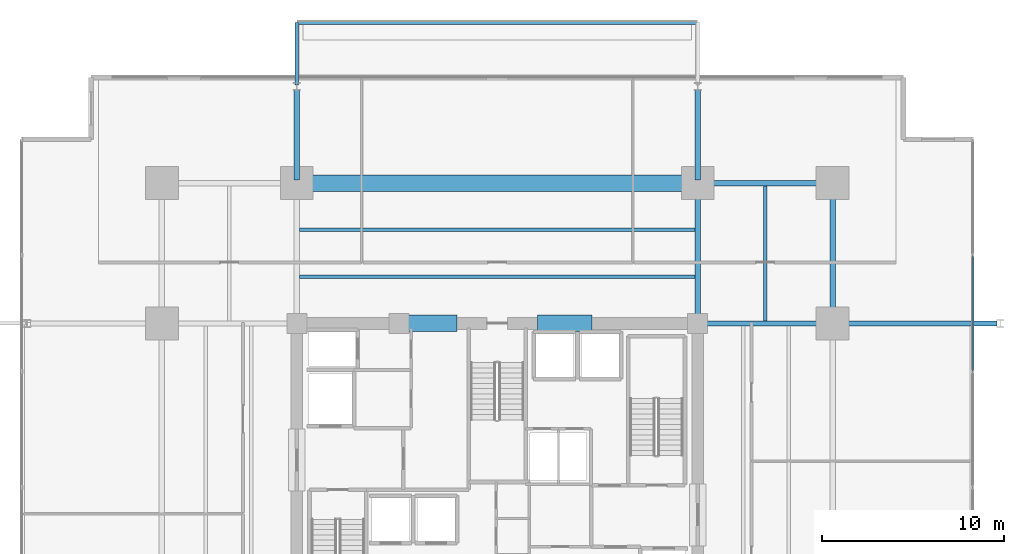
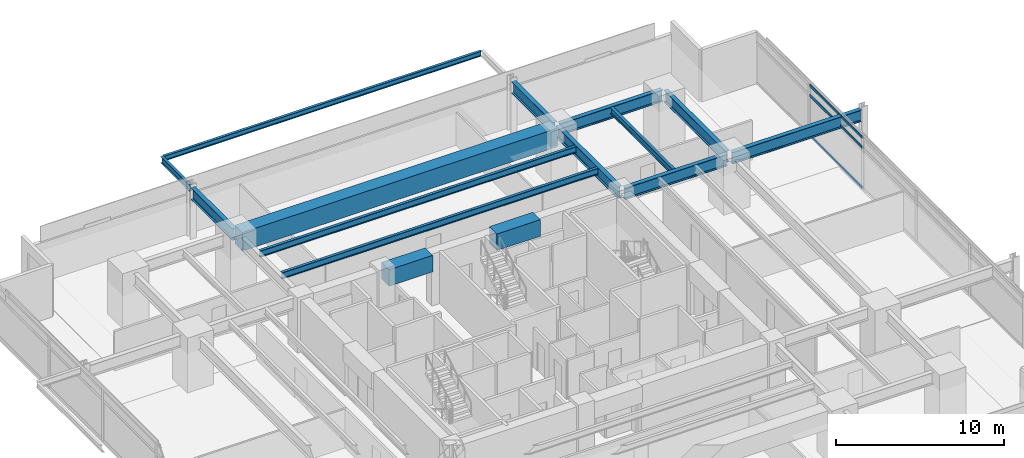
# One storey, part 12 of 22: 15 beams, 3 members, 1 element without a shape of its own.
"""IFC4 building model written with IfcOpenShell, lengths in metres."""

from ifc_helpers import new_model, si_unit, direction, frame, origin, origin_2d, place, context, subcontext, project, spatial, rectangle, hollow_rectangle, i_section, extrude, material, material_profile, profile_set, type_object, element, aggregate, save


model = new_model("IFC4")

# Units and contexts
model_context = context("Model", 3, precision=1e-05, world=origin(), true_north=direction((0.0, 1.0)))
body_context = subcontext(model_context, "Body", "Model", "MODEL_VIEW")
ifc_project = project(units=[si_unit("LENGTHUNIT", "METRE"), si_unit("AREAUNIT", "SQUARE_METRE"), si_unit("VOLUMEUNIT", "CUBIC_METRE"), si_unit("PLANEANGLEUNIT", "RADIAN"), si_unit("MASSUNIT", "GRAM", prefix="KILO")], contexts=[model_context])

# Site, building, storey
site_placement = place(None, origin())
site = spatial("IfcSite", under=ifc_project, at=site_placement, CompositionType="ELEMENT")
building_placement = place(site_placement, origin())
building = spatial("IfcBuilding", under=site, at=building_placement, Name="Kovane Verandah Tower", CompositionType="ELEMENT")
storey_placement = place(building_placement, frame((0.0, 0.0, 71.60009765625)))
storey = spatial("IfcBuildingStorey", under=building, at=storey_placement, Name="L16", CompositionType="ELEMENT", Elevation=71.60009765625)

# Beams
ifc_material_1 = material(Name="Concrete C80/95", Category="concrete")
ifc_material_profile_1 = material_profile(ifc_material_1, rectangle(XDim=0.89990234375, YDim=1.199951171875, at=origin_2d()), Name="RCB900x1200")
ifc_profile_set_1 = profile_set([ifc_material_profile_1], Name="Concrete C80/95")
beam_type_1 = type_object("IfcBeamType", Name="BM-LINTEL-900x1200", PredefinedType="LINTEL", material=ifc_profile_set_1)
for number, where, z_axis, x_axis, name in (
    (1, (34.800048828125, 36.5, 3.159912109375), (1.0, 0.0, 0.0), (0.0, 1.0, 0.0), "L16 Core Coupling Lintel CL-N1"),
    (2, (42.199951171875, 36.5, 3.159912109375), (1.0, 0.0, 0.0), (0.0, 1.0, 0.0), "L16 Core Coupling Lintel CL-N2"),
):
    element("IfcBeam", number, at=place(storey_placement, frame(where, z_axis=z_axis, x_axis=x_axis)), inside=storey, type_object=beam_type_1, Name=name, PredefinedType="LINTEL", context=body_context, shape_type="SweptSolid", body=[
        extrude(rectangle(XDim=0.89990234375, YDim=1.199951171875, at=origin_2d()), origin(), (0.0, 0.0, 1.0), 3.0),
    ])
ifc_material_profile_2 = material_profile(ifc_material_1, rectangle(XDim=0.89990234375, YDim=1.35009765625, at=origin_2d()), Name="RCB900x1350")
ifc_profile_set_2 = profile_set([ifc_material_profile_2], Name="Concrete C80/95")
beam_type_2 = type_object("IfcBeamType", Name="BM-TR-900x1350", PredefinedType="BEAM", material=ifc_profile_set_2)
beam_1_placement = place(storey_placement, frame((29.179931640625, 44.199951171875, 3.0849609375), z_axis=(1.0, 0.0, 0.0), x_axis=(0.0, 1.0, 0.0)))
element("IfcBeam", 3, at=beam_1_placement, inside=storey, type_object=beam_type_2, Name="L16 Primary Tower Girder G-RN2", PredefinedType="BEAM", context=body_context, shape_type="SweptSolid", body=[
    extrude(rectangle(XDim=0.89990234375, YDim=1.35009765625, at=origin_2d()), origin(), (0.0, 0.0, 1.0), 21.64013671875),
])
ifc_material_2 = material(Name="Steel S355", Category="steel")
ifc_material_profile_3 = material_profile(ifc_material_2, i_section(OverallWidth=0.293701171875, OverallDepth=0.850830078125, WebThickness=0.01611328125, FlangeThickness=0.02685546875, FilletRadius=0.017822265625, at=origin_2d()), Name="UB838x292x226")
ifc_profile_set_3 = profile_set([ifc_material_profile_3], Name="Steel S355")
beam_type_3 = type_object("IfcBeamType", Name="BM-UB838x226", PredefinedType="BEAM", material=ifc_profile_set_3)
beam_2_placement = place(storey_placement, frame((51.179931640625, 44.199951171875, 3.33447265625), z_axis=(1.0, 0.0, 0.0), x_axis=(0.0, 1.0, 0.0)))
element("IfcBeam", 4, at=beam_2_placement, inside=storey, type_object=beam_type_3, Name="L16 Primary Tower Girder G-RN3", PredefinedType="BEAM", context=body_context, shape_type="SweptSolid", body=[
    extrude(i_section(OverallWidth=0.293701171875, OverallDepth=0.850830078125, WebThickness=0.01611328125, FlangeThickness=0.02685546875, FilletRadius=0.017822265625, at=origin_2d()), origin(), (0.0, 0.0, 1.0), 7.0400390625),
])
beam_3_placement = place(storey_placement, frame((58.39990234375, 36.679931640625, 3.33447265625), z_axis=(0.0, 1.0, 0.0), x_axis=(-1.0, 0.0, 0.0)))
element("IfcBeam", 5, at=beam_3_placement, inside=storey, type_object=beam_type_3, Name="L16 Primary Tower Girder G-RE3", PredefinedType="BEAM", context=body_context, shape_type="SweptSolid", body=[
    extrude(i_section(OverallWidth=0.293701171875, OverallDepth=0.850830078125, WebThickness=0.01611328125, FlangeThickness=0.02685546875, FilletRadius=0.017822265625, at=origin_2d()), origin(), (0.0, 0.0, 1.0), 7.340087890625),
])
beam_4_placement = place(storey_placement, frame((51.179931640625, 36.5, 3.33447265625), z_axis=(1.0, 0.0, 0.0), x_axis=(0.0, 1.0, 0.0)))
element("IfcBeam", 6, at=beam_4_placement, inside=storey, type_object=beam_type_3, Name="L16 Primary Tower Girder G-E2", PredefinedType="BEAM", context=body_context, shape_type="SweptSolid", body=[
    extrude(i_section(OverallWidth=0.293701171875, OverallDepth=0.850830078125, WebThickness=0.01611328125, FlangeThickness=0.02685546875, FilletRadius=0.017822265625, at=origin_2d()), origin(), (0.0, 0.0, 1.0), 7.0400390625),
])
beam_5_placement = place(storey_placement, frame((51.0, 36.679931640625, 3.33447265625), z_axis=(0.0, 1.0, 0.0), x_axis=(-1.0, 0.0, 0.0)))
element("IfcBeam", 7, at=beam_5_placement, inside=storey, type_object=beam_type_3, Name="L16 Primary Tower Girder G-N2", PredefinedType="BEAM", context=body_context, shape_type="SweptSolid", body=[
    extrude(i_section(OverallWidth=0.293701171875, OverallDepth=0.850830078125, WebThickness=0.01611328125, FlangeThickness=0.02685546875, FilletRadius=0.017822265625, at=origin_2d()), origin(), (0.0, 0.0, 1.0), 7.340087890625),
])
beam_6_placement = place(storey_placement, frame((58.580078125, 36.5, 3.33447265625), z_axis=(1.0, 0.0, 0.0), x_axis=(0.0, 1.0, 0.0)))
element("IfcBeam", 8, at=beam_6_placement, inside=storey, type_object=beam_type_3, Name="L16 Primary Tower Girder G-VE2", PredefinedType="BEAM", context=body_context, shape_type="SweptSolid", body=[
    extrude(i_section(OverallWidth=0.293701171875, OverallDepth=0.850830078125, WebThickness=0.01611328125, FlangeThickness=0.02685546875, FilletRadius=0.017822265625, at=origin_2d()), origin(), (0.0, 0.0, 1.0), 8.83984375),
])
for number, where, z_axis, x_axis, name in (
    (9, (29.0, 44.3798828125, 3.33447265625), (0.0, 1.0, 0.0), (-1.0, 0.0, 0.0), "L16 Primary Tower Girder G-VN1"),
    (10, (51.0, 44.3798828125, 3.33447265625), (0.0, 1.0, 0.0), (-1.0, 0.0, 0.0), "L16 Primary Tower Girder G-VN2"),
):
    element("IfcBeam", number, at=place(storey_placement, frame(where, z_axis=z_axis, x_axis=x_axis)), inside=storey, type_object=beam_type_3, Name=name, PredefinedType="BEAM", context=body_context, shape_type="SweptSolid", body=[
        extrude(i_section(OverallWidth=0.293701171875, OverallDepth=0.850830078125, WebThickness=0.01611328125, FlangeThickness=0.02685546875, FilletRadius=0.017822265625, at=origin_2d()), origin(), (0.0, 0.0, 1.0), 4.940185546875),
    ])

# Curtain wall, members
ifc_material_3 = material(Name="Champagne Anodised Aluminium Frame with Low-E Clear Laminated Glass", Category="aluminium")
curtain_wall_type = type_object("IfcCurtainWallType", Name="CW-SYS-02-LOW", PredefinedType="NOTDEFINED", material=ifc_material_3)
curtain_wall_placement = place(storey_placement, origin())
curtain_wall = element("IfcCurtainWall", 11, at=curtain_wall_placement, inside=storey, type_object=curtain_wall_type, Name="L16 E Unitised Curtain Wall", PredefinedType="NOTDEFINED")
ifc_material_4 = material(Name="Champagne Anodised Aluminium 6063-T6", Category="aluminium")
ifc_material_profile_4 = material_profile(ifc_material_4, hollow_rectangle(XDim=0.0849609375, YDim=0.18994140625, WallThickness=0.00390625, at=origin_2d()), Name="AL85x190x4")
ifc_profile_set_4 = profile_set([ifc_material_profile_4], Name="Champagne Anodised Aluminium 6063-T6")
member_type = type_object("IfcMemberType", Name="CW-TRN-85x190", PredefinedType="USERDEFINED", material=ifc_profile_set_4)
member_1_placement = place(storey_placement, frame((66.08642578125, 33.916748046875, 0.0498046875), z_axis=(0.0, 1.0, 0.0), x_axis=(-1.0, 0.0, 0.0)))
member_1 = element("IfcMember", 12, at=member_1_placement, type_object=member_type, Name="L16 E Unitised Curtain Wall Transom TB Bay 5", ObjectType="TRANSOM", PredefinedType="USERDEFINED", context=body_context, shape_type="SweptSolid", body=[
    extrude(hollow_rectangle(XDim=0.0849609375, YDim=0.18994140625, WallThickness=0.00390625, at=origin_2d()), origin(), (0.0, 0.0, 1.0), 6.266845703125),
])
member_2_placement = place(storey_placement, frame((66.08642578125, 33.916748046875, 2.97998046875), z_axis=(0.0, 1.0, 0.0), x_axis=(-1.0, 0.0, 0.0)))
member_2 = element("IfcMember", 13, at=member_2_placement, type_object=member_type, Name="L16 E Unitised Curtain Wall Transom TM Bay 5", ObjectType="TRANSOM", PredefinedType="USERDEFINED", context=body_context, shape_type="SweptSolid", body=[
    extrude(hollow_rectangle(XDim=0.0849609375, YDim=0.18994140625, WallThickness=0.00390625, at=origin_2d()), origin(), (0.0, 0.0, 1.0), 6.266845703125),
])
member_3_placement = place(storey_placement, frame((66.08642578125, 33.916748046875, 3.7099609375), z_axis=(0.0, 1.0, 0.0), x_axis=(-1.0, 0.0, 0.0)))
member_3 = element("IfcMember", 14, at=member_3_placement, type_object=member_type, Name="L16 E Unitised Curtain Wall Transom TT Bay 5", ObjectType="TRANSOM", PredefinedType="USERDEFINED", context=body_context, shape_type="SweptSolid", body=[
    extrude(hollow_rectangle(XDim=0.0849609375, YDim=0.18994140625, WallThickness=0.00390625, at=origin_2d()), origin(), (0.0, 0.0, 1.0), 6.266845703125),
])
aggregate(curtain_wall, [member_1, member_2, member_3])

# Beams
ifc_material_profile_5 = material_profile(ifc_material_2, i_section(OverallWidth=0.19287109375, OverallDepth=0.46728515625, WebThickness=0.011474609375, FlangeThickness=0.01953125, FilletRadius=0.01025390625, at=origin_2d()), Name="UB457x191x98")
ifc_profile_set_5 = profile_set([ifc_material_profile_5], Name="Steel S355")
beam_type_4 = type_object("IfcBeamType", Name="JST-UB457x98", PredefinedType="JOIST", material=ifc_profile_set_5)
for number, where, z_axis, x_axis, name in (
    (15, (29.14501953125, 39.050048828125, 3.5263671875), (1.0, 0.0, 0.0), (0.0, 1.0, 0.0), "L16 Secondary Composite Joist J-N1"),
    (16, (29.14501953125, 41.64990234375, 3.5263671875), (1.0, 0.0, 0.0), (0.0, 1.0, 0.0), "L16 Secondary Composite Joist J-N2"),
):
    element("IfcBeam", number, at=place(storey_placement, frame(where, z_axis=z_axis, x_axis=x_axis)), inside=storey, type_object=beam_type_4, Name=name, PredefinedType="JOIST", context=body_context, shape_type="SweptSolid", body=[
        extrude(i_section(OverallWidth=0.19287109375, OverallDepth=0.46728515625, WebThickness=0.011474609375, FlangeThickness=0.01953125, FilletRadius=0.01025390625, at=origin_2d()), origin(), (0.0, 0.0, 1.0), 21.7099609375),
    ])
beam_7_placement = place(storey_placement, frame((54.699951171875, 36.64501953125, 3.5263671875), z_axis=(0.0, 1.0, 0.0), x_axis=(-1.0, 0.0, 0.0)))
element("IfcBeam", 17, at=beam_7_placement, inside=storey, type_object=beam_type_4, Name="L16 Secondary Composite Joist J-NE1", PredefinedType="JOIST", context=body_context, shape_type="SweptSolid", body=[
    extrude(i_section(OverallWidth=0.19287109375, OverallDepth=0.46728515625, WebThickness=0.011474609375, FlangeThickness=0.01953125, FilletRadius=0.01025390625, at=origin_2d()), origin(), (0.0, 0.0, 1.0), 7.41015625),
])
beam_8_placement = place(storey_placement, frame((29.0, 49.580078125, 3.5263671875), z_axis=(0.0, 1.0, 0.0), x_axis=(-1.0, 0.0, 0.0)))
element("IfcBeam", 18, at=beam_8_placement, inside=storey, type_object=beam_type_4, Name="L16 North Planter Girder 1", PredefinedType="JOIST", context=body_context, shape_type="SweptSolid", body=[
    extrude(i_section(OverallWidth=0.19287109375, OverallDepth=0.46728515625, WebThickness=0.011474609375, FlangeThickness=0.01953125, FilletRadius=0.01025390625, at=origin_2d()), origin(), (0.0, 0.0, 1.0), 3.423583984375),
])
ifc_material_profile_6 = material_profile(ifc_material_2, i_section(OverallWidth=0.173095703125, OverallDepth=0.36328125, WebThickness=0.009033203125, FlangeThickness=0.015625, FilletRadius=0.01025390625, at=origin_2d()), Name="UB356x171x67")
ifc_profile_set_6 = profile_set([ifc_material_profile_6], Name="Steel S355")
beam_type_5 = type_object("IfcBeamType", Name="SPD-UB356x67", PredefinedType="USERDEFINED", material=ifc_profile_set_6)
beam_9_placement = place(storey_placement, frame((29.094482421875, 53.003662109375, 3.578125), z_axis=(1.0, 0.0, 0.0), x_axis=(0.0, 1.0, 0.0)))
element("IfcBeam", 19, at=beam_9_placement, inside=storey, type_object=beam_type_5, Name="L16 North Planter Edge Spandrel", ObjectType="SPANDREL", PredefinedType="USERDEFINED", context=body_context, shape_type="SweptSolid", body=[
    extrude(i_section(OverallWidth=0.173095703125, OverallDepth=0.36328125, WebThickness=0.009033203125, FlangeThickness=0.015625, FilletRadius=0.01025390625, at=origin_2d()), origin(), (0.0, 0.0, 1.0), 21.81103515625),
])

save(model, "model.ifc")
